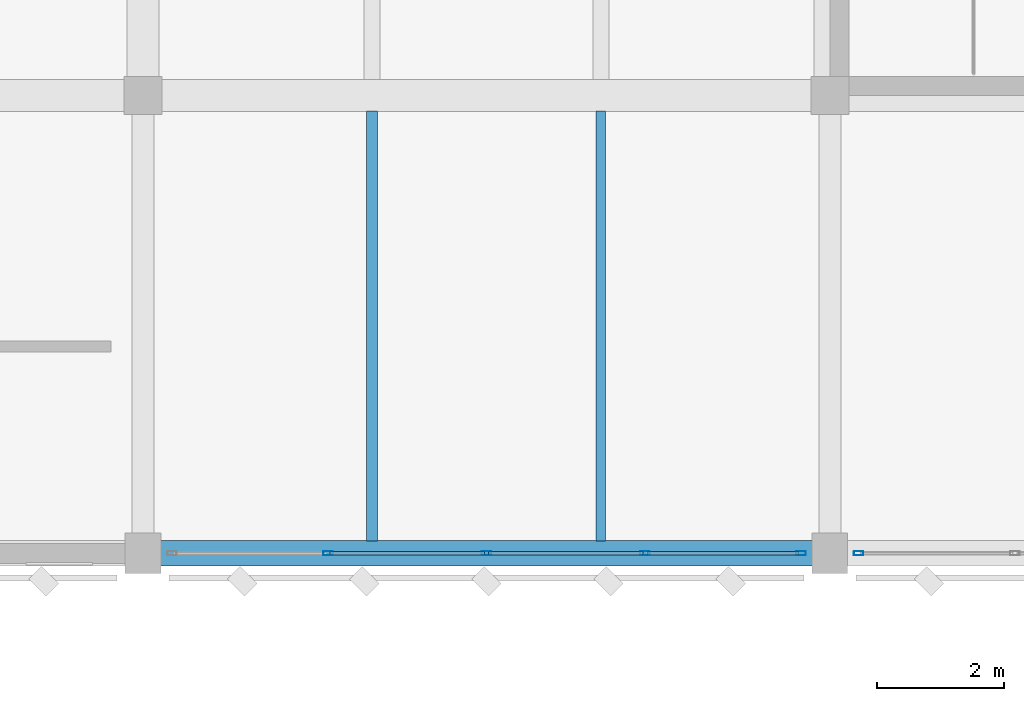
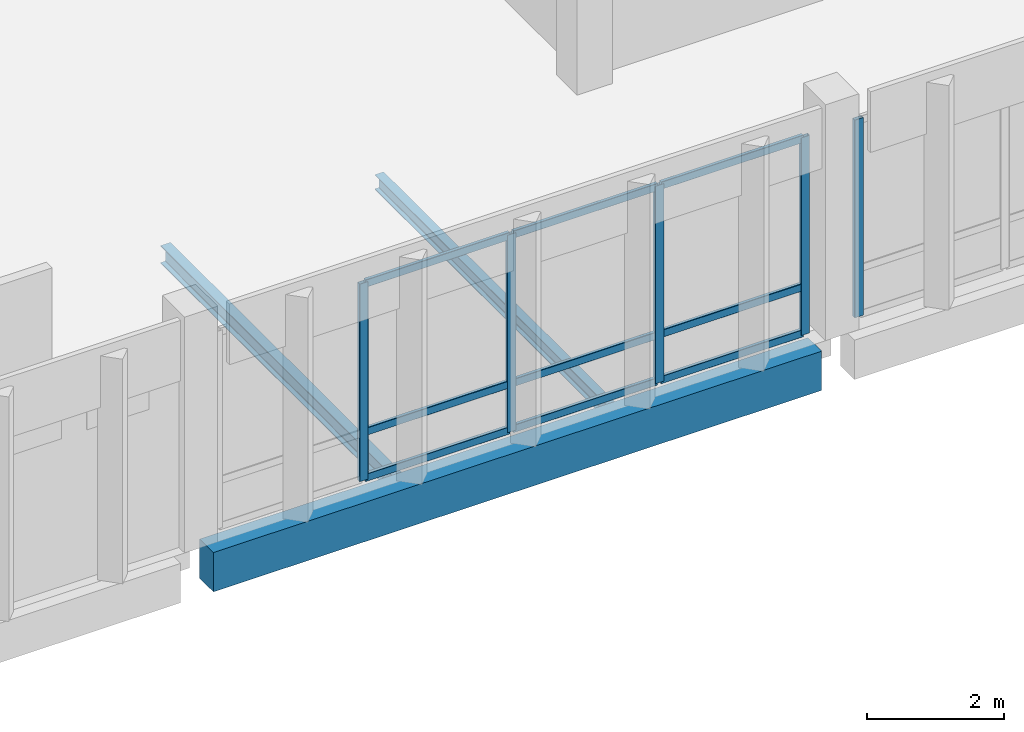
# One storey, part 48 of 158: 14 members, 3 beams, 2 elements without a shape of their own.
"""IFC4 building model written with IfcOpenShell, lengths in metres."""

from ifc_helpers import new_model, si_unit, direction, frame, origin, origin_2d, place, context, subcontext, project, spatial, rectangle, hollow_rectangle, i_section, extrude, material, material_profile, profile_set, type_object, element, aggregate, save


model = new_model("IFC4")

# Units and contexts
model_context = context("Model", 3, precision=1e-05, world=origin(), true_north=direction((0.0, 1.0)))
body_context = subcontext(model_context, "Body", "Model", "MODEL_VIEW")
ifc_project = project(units=[si_unit("LENGTHUNIT", "METRE"), si_unit("AREAUNIT", "SQUARE_METRE"), si_unit("VOLUMEUNIT", "CUBIC_METRE"), si_unit("PLANEANGLEUNIT", "RADIAN"), si_unit("MASSUNIT", "GRAM", prefix="KILO")], contexts=[model_context])

# Site, building, storey
site_placement = place(None, origin())
site = spatial("IfcSite", under=ifc_project, at=site_placement, CompositionType="ELEMENT")
building_placement = place(site_placement, origin())
building = spatial("IfcBuilding", under=site, at=building_placement, Name="Lusvemor Sports Hall", CompositionType="ELEMENT")
storey_placement = place(building_placement, frame((0.0, 0.0, 10.800048828125)))
storey = spatial("IfcBuildingStorey", under=building, at=storey_placement, Name="L02", CompositionType="ELEMENT", Elevation=10.800048828125)

# Curtain wall, members
ifc_material_1 = material(Name="Thermally broken bronze-anodized aluminium", Category="aluminium")
curtain_wall_type = type_object("IfcCurtainWallType", Name="CW_WING_B", PredefinedType="NOTDEFINED", material=ifc_material_1)
curtain_wall_1_placement = place(storey_placement, origin())
curtain_wall_1 = element("IfcCurtainWall", 1, at=curtain_wall_1_placement, inside=storey, type_object=curtain_wall_type, Name="Curtain Wall CW-L02-S-3-2", PredefinedType="NOTDEFINED")
ifc_material_2 = material(Name="Thermally broken bronze-anodized aluminium", Category="aluminium")
ifc_material_profile_1 = material_profile(ifc_material_2, hollow_rectangle(XDim=0.06494140625, YDim=0.14990234375, WallThickness=0.00390625, InnerFilletRadius=0.00390625, OuterFilletRadius=0.008056640625, at=origin_2d()), Name="CWMUL150x65x4")
ifc_profile_set_1 = profile_set([ifc_material_profile_1], Name="Thermally broken bronze-anodized aluminium")
member_type_1 = type_object("IfcMemberType", Name="CW_MUL_B", PredefinedType="MULLION", material=ifc_profile_set_1)
member_1_placement = place(storey_placement, frame((53.547607421875, 97.199951171875, 0.0), z_axis=(0.0, 0.0, 1.0), x_axis=(0.0, -1.0, 0.0)))
member_1 = element("IfcMember", 2, at=member_1_placement, type_object=member_type_1, Name="CW02 mullion 1", PredefinedType="MULLION", context=body_context, shape_type="SweptSolid", body=[
    extrude(hollow_rectangle(XDim=0.06494140625, YDim=0.14990234375, WallThickness=0.00390625, InnerFilletRadius=0.00390625, OuterFilletRadius=0.008056640625, at=origin_2d()), origin(), (0.0, 0.0, 1.0), 3.52001953125),
])
member_2_placement = place(storey_placement, frame((51.090087890625, 97.199951171875, 0.0), z_axis=(0.0, 0.0, 1.0), x_axis=(0.0, -1.0, 0.0)))
member_2 = element("IfcMember", 3, at=member_2_placement, type_object=member_type_1, Name="CW02 mullion 2", PredefinedType="MULLION", context=body_context, shape_type="SweptSolid", body=[
    extrude(hollow_rectangle(XDim=0.06494140625, YDim=0.14990234375, WallThickness=0.00390625, InnerFilletRadius=0.00390625, OuterFilletRadius=0.008056640625, at=origin_2d()), origin(), (0.0, 0.0, 1.0), 3.52001953125),
])
member_3_placement = place(storey_placement, frame((48.60009765625, 97.199951171875, 0.0), z_axis=(0.0, 0.0, 1.0), x_axis=(0.0, -1.0, 0.0)))
member_3 = element("IfcMember", 4, at=member_3_placement, type_object=member_type_1, Name="CW02 mullion 3", PredefinedType="MULLION", context=body_context, shape_type="SweptSolid", body=[
    extrude(hollow_rectangle(XDim=0.06494140625, YDim=0.14990234375, WallThickness=0.00390625, InnerFilletRadius=0.00390625, OuterFilletRadius=0.008056640625, at=origin_2d()), origin(), (0.0, 0.0, 1.0), 3.52001953125),
])
member_4_placement = place(storey_placement, frame((46.110107421875, 97.199951171875, 0.0), z_axis=(0.0, 0.0, 1.0), x_axis=(0.0, -1.0, 0.0)))
member_4 = element("IfcMember", 5, at=member_4_placement, type_object=member_type_1, Name="CW02 mullion 4", PredefinedType="MULLION", context=body_context, shape_type="SweptSolid", body=[
    extrude(hollow_rectangle(XDim=0.06494140625, YDim=0.14990234375, WallThickness=0.00390625, InnerFilletRadius=0.00390625, OuterFilletRadius=0.008056640625, at=origin_2d()), origin(), (0.0, 0.0, 1.0), 3.52001953125),
])

# Curtain wall, member
curtain_wall_2_placement = place(storey_placement, origin())
curtain_wall_2 = element("IfcCurtainWall", 6, at=curtain_wall_2_placement, inside=storey, type_object=curtain_wall_type, Name="Curtain Wall CW-L02-S-3-3", PredefinedType="NOTDEFINED")
member_5_placement = place(storey_placement, frame((54.452392578125, 97.199951171875, 0.0), z_axis=(0.0, 0.0, 1.0), x_axis=(0.0, -1.0, 0.0)))
member_5 = element("IfcMember", 7, at=member_5_placement, type_object=member_type_1, Name="CW02 mullion 5", PredefinedType="MULLION", context=body_context, shape_type="SweptSolid", body=[
    extrude(hollow_rectangle(XDim=0.06494140625, YDim=0.14990234375, WallThickness=0.00390625, InnerFilletRadius=0.00390625, OuterFilletRadius=0.008056640625, at=origin_2d()), origin(), (0.0, 0.0, 1.0), 3.52001953125),
])
aggregate(curtain_wall_2, [member_5])

# Member
ifc_material_3 = material(Name="Thermally broken bronze-anodized aluminium", Category="aluminium")
ifc_material_profile_2 = material_profile(ifc_material_3, hollow_rectangle(XDim=0.06005859375, YDim=0.135009765625, WallThickness=0.00390625, InnerFilletRadius=0.00390625, OuterFilletRadius=0.008056640625, at=origin_2d()), Name="CWTRN135x60x4")
ifc_profile_set_2 = profile_set([ifc_material_profile_2], Name="Thermally broken bronze-anodized aluminium")
member_type_2 = type_object("IfcMemberType", Name="CW_TRN_B", PredefinedType="USERDEFINED", material=ifc_profile_set_2)
member_6_placement = place(storey_placement, frame((53.514892578125, 97.199951171875, 0.030029296875), z_axis=(-1.0, 0.0, 0.0), x_axis=(0.0, -1.0, 0.0)))
member_6 = element("IfcMember", 8, at=member_6_placement, type_object=member_type_2, Name="CW02 transom 1.1", ObjectType="TRANSOM", PredefinedType="USERDEFINED", context=body_context, shape_type="SweptSolid", body=[
    extrude(hollow_rectangle(XDim=0.06005859375, YDim=0.135009765625, WallThickness=0.00390625, InnerFilletRadius=0.00390625, OuterFilletRadius=0.008056640625, at=origin_2d()), origin(), (0.0, 0.0, 1.0), 2.392333984375),
])

member_7_placement = place(storey_placement, frame((53.514892578125, 97.199951171875, 0.849853515625), z_axis=(-1.0, 0.0, 0.0), x_axis=(0.0, -1.0, 0.0)))
member_7 = element("IfcMember", 9, at=member_7_placement, type_object=member_type_2, Name="CW02 transom 1.2", ObjectType="TRANSOM", PredefinedType="USERDEFINED", context=body_context, shape_type="SweptSolid", body=[
    extrude(hollow_rectangle(XDim=0.06005859375, YDim=0.135009765625, WallThickness=0.00390625, InnerFilletRadius=0.00390625, OuterFilletRadius=0.008056640625, at=origin_2d()), origin(), (0.0, 0.0, 1.0), 2.392333984375),
])

member_8_placement = place(storey_placement, frame((53.514892578125, 97.199951171875, 3.489990234375), z_axis=(-1.0, 0.0, 0.0), x_axis=(0.0, -1.0, 0.0)))
member_8 = element("IfcMember", 10, at=member_8_placement, type_object=member_type_2, Name="CW02 transom 1.3", ObjectType="TRANSOM", PredefinedType="USERDEFINED", context=body_context, shape_type="SweptSolid", body=[
    extrude(hollow_rectangle(XDim=0.06005859375, YDim=0.135009765625, WallThickness=0.00390625, InnerFilletRadius=0.00390625, OuterFilletRadius=0.008056640625, at=origin_2d()), origin(), (0.0, 0.0, 1.0), 2.392333984375),
])

member_9_placement = place(storey_placement, frame((51.0576171875, 97.199951171875, 0.030029296875), z_axis=(-1.0, 0.0, 0.0), x_axis=(0.0, -1.0, 0.0)))
member_9 = element("IfcMember", 11, at=member_9_placement, type_object=member_type_2, Name="CW02 transom 2.1", ObjectType="TRANSOM", PredefinedType="USERDEFINED", context=body_context, shape_type="SweptSolid", body=[
    extrude(hollow_rectangle(XDim=0.06005859375, YDim=0.135009765625, WallThickness=0.00390625, InnerFilletRadius=0.00390625, OuterFilletRadius=0.008056640625, at=origin_2d()), origin(), (0.0, 0.0, 1.0), 2.425048828125),
])

member_10_placement = place(storey_placement, frame((51.0576171875, 97.199951171875, 0.849853515625), z_axis=(-1.0, 0.0, 0.0), x_axis=(0.0, -1.0, 0.0)))
member_10 = element("IfcMember", 12, at=member_10_placement, type_object=member_type_2, Name="CW02 transom 2.2", ObjectType="TRANSOM", PredefinedType="USERDEFINED", context=body_context, shape_type="SweptSolid", body=[
    extrude(hollow_rectangle(XDim=0.06005859375, YDim=0.135009765625, WallThickness=0.00390625, InnerFilletRadius=0.00390625, OuterFilletRadius=0.008056640625, at=origin_2d()), origin(), (0.0, 0.0, 1.0), 2.425048828125),
])

member_11_placement = place(storey_placement, frame((51.0576171875, 97.199951171875, 3.489990234375), z_axis=(-1.0, 0.0, 0.0), x_axis=(0.0, -1.0, 0.0)))
member_11 = element("IfcMember", 13, at=member_11_placement, type_object=member_type_2, Name="CW02 transom 2.3", ObjectType="TRANSOM", PredefinedType="USERDEFINED", context=body_context, shape_type="SweptSolid", body=[
    extrude(hollow_rectangle(XDim=0.06005859375, YDim=0.135009765625, WallThickness=0.00390625, InnerFilletRadius=0.00390625, OuterFilletRadius=0.008056640625, at=origin_2d()), origin(), (0.0, 0.0, 1.0), 2.425048828125),
])

member_12_placement = place(storey_placement, frame((48.5673828125, 97.199951171875, 0.030029296875), z_axis=(-1.0, 0.0, 0.0), x_axis=(0.0, -1.0, 0.0)))
member_12 = element("IfcMember", 14, at=member_12_placement, type_object=member_type_2, Name="CW02 transom 3.1", ObjectType="TRANSOM", PredefinedType="USERDEFINED", context=body_context, shape_type="SweptSolid", body=[
    extrude(hollow_rectangle(XDim=0.06005859375, YDim=0.135009765625, WallThickness=0.00390625, InnerFilletRadius=0.00390625, OuterFilletRadius=0.008056640625, at=origin_2d()), origin(), (0.0, 0.0, 1.0), 2.4248046875),
])

member_13_placement = place(storey_placement, frame((48.5673828125, 97.199951171875, 0.849853515625), z_axis=(-1.0, 0.0, 0.0), x_axis=(0.0, -1.0, 0.0)))
member_13 = element("IfcMember", 15, at=member_13_placement, type_object=member_type_2, Name="CW02 transom 3.2", ObjectType="TRANSOM", PredefinedType="USERDEFINED", context=body_context, shape_type="SweptSolid", body=[
    extrude(hollow_rectangle(XDim=0.06005859375, YDim=0.135009765625, WallThickness=0.00390625, InnerFilletRadius=0.00390625, OuterFilletRadius=0.008056640625, at=origin_2d()), origin(), (0.0, 0.0, 1.0), 2.4248046875),
])

member_14_placement = place(storey_placement, frame((48.5673828125, 97.199951171875, 3.489990234375), z_axis=(-1.0, 0.0, 0.0), x_axis=(0.0, -1.0, 0.0)))
member_14 = element("IfcMember", 16, at=member_14_placement, type_object=member_type_2, Name="CW02 transom 3.3", ObjectType="TRANSOM", PredefinedType="USERDEFINED", context=body_context, shape_type="SweptSolid", body=[
    extrude(hollow_rectangle(XDim=0.06005859375, YDim=0.135009765625, WallThickness=0.00390625, InnerFilletRadius=0.00390625, OuterFilletRadius=0.008056640625, at=origin_2d()), origin(), (0.0, 0.0, 1.0), 2.4248046875),
])

aggregate(curtain_wall_1, [member_1, member_2, member_3, member_4, member_6, member_7, member_8, member_9, member_10, member_11, member_12, member_13, member_14])

# Beams
ifc_material_4 = material(Name="Steel S355", Category="steel")
ifc_material_profile_3 = material_profile(ifc_material_4, i_section(OverallWidth=0.14794921875, OverallDepth=0.26611328125, WebThickness=0.007568359375, FlangeThickness=0.012939453125, FilletRadius=0.012939453125, at=origin_2d()), Name="W250x44.8")
ifc_profile_set_3 = profile_set([ifc_material_profile_3], Name="Steel S355")
beam_type_1 = type_object("IfcBeamType", Name="JOIST_ST_250M", PredefinedType="JOIST", material=ifc_profile_set_3)
beam_1_placement = place(storey_placement, frame((50.39990234375, 97.39599609375, -0.39697265625), z_axis=(0.0, 1.0, 0.0), x_axis=(-1.0, 0.0, 0.0)))
element("IfcBeam", 17, at=beam_1_placement, inside=storey, type_object=beam_type_1, Name="Secondary Joist L02 5-6/N-P #2", PredefinedType="JOIST", context=body_context, shape_type="SweptSolid", body=[
    extrude(i_section(OverallWidth=0.14794921875, OverallDepth=0.26611328125, WebThickness=0.007568359375, FlangeThickness=0.012939453125, FilletRadius=0.012939453125, at=origin_2d()), origin(), (0.0, 0.0, 1.0), 6.758056640625),
])
ifc_material_5 = material(Name="Steel S355", Category="steel")
ifc_material_profile_4 = material_profile(ifc_material_5, i_section(OverallWidth=0.1669921875, OverallDepth=0.31689453125, WebThickness=0.007568359375, FlangeThickness=0.01318359375, FilletRadius=0.014892578125, at=origin_2d()), Name="W310x52.0")
ifc_profile_set_4 = profile_set([ifc_material_profile_4], Name="Steel S355")
beam_type_2 = type_object("IfcBeamType", Name="JOIST_ST_310M", PredefinedType="JOIST", material=ifc_profile_set_4)
beam_2_placement = place(storey_placement, frame((46.800048828125, 97.39599609375, -0.422607421875), z_axis=(0.0, 1.0, 0.0), x_axis=(-1.0, 0.0, 0.0)))
element("IfcBeam", 18, at=beam_2_placement, inside=storey, type_object=beam_type_2, Name="Secondary Joist L02 5-6/N-P #1", PredefinedType="JOIST", context=body_context, shape_type="SweptSolid", body=[
    extrude(i_section(OverallWidth=0.1669921875, OverallDepth=0.31689453125, WebThickness=0.007568359375, FlangeThickness=0.01318359375, FilletRadius=0.014892578125, at=origin_2d()), origin(), (0.0, 0.0, 1.0), 6.758056640625),
])
ifc_material_6 = material(Name="Concrete C40/50", Category="concrete")
ifc_material_profile_5 = material_profile(ifc_material_6, rectangle(XDim=0.39990234375, YDim=0.699951171875, at=origin_2d()), Name="RC400x700")
ifc_profile_set_5 = profile_set([ifc_material_profile_5], Name="Concrete C40/50")
beam_type_3 = type_object("IfcBeamType", Name="SPAND_EXT_700", PredefinedType="SPANDREL", material=ifc_profile_set_5)
beam_3_placement = place(storey_placement, frame((43.47607421875, 97.199951171875, -0.610107421875), z_axis=(1.0, 0.0, 0.0), x_axis=(0.0, 1.0, 0.0)))
element("IfcBeam", 19, at=beam_3_placement, inside=storey, type_object=beam_type_3, Name="Beam L02 N:5-6", PredefinedType="SPANDREL", context=body_context, shape_type="SweptSolid", body=[
    extrude(rectangle(XDim=0.39990234375, YDim=0.699951171875, at=origin_2d()), origin(), (0.0, 0.0, 1.0), 10.248046875),
])

save(model, "model.ifc")
